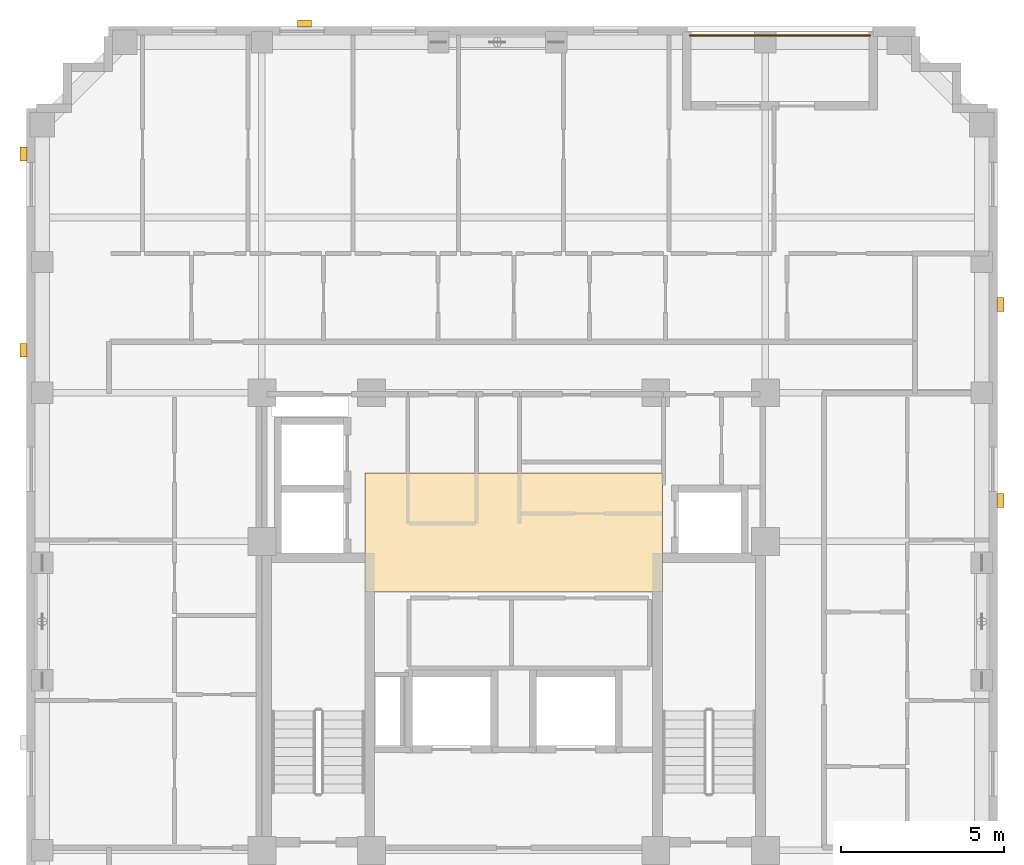
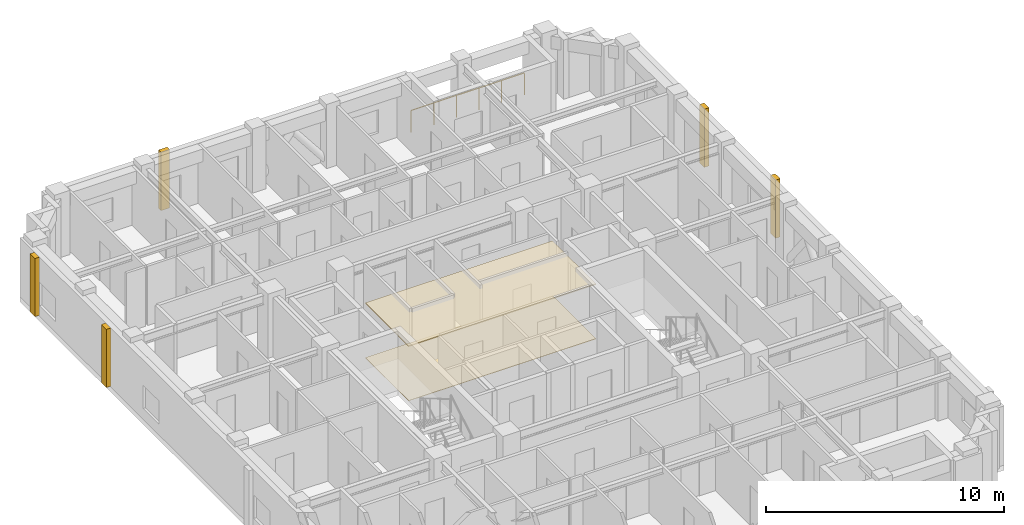
# One storey, part 11 of 11: 7 coverings, 1 railing.
"""IFC4 building model written with IfcOpenShell, lengths in metres."""

from ifc_helpers import new_model, si_unit, derived_unit, direction, frame, origin, origin_2d, place, context, subcontext, project, spatial, polyline, rectangle, circle, outline, extrude, material, layer, layer_set, type_object, element, save


model = new_model("IFC4")

# Units and contexts
model_context = context("Model", 3, precision=1e-05, world=origin(), true_north=direction((0.0, 1.0)))
body_context = subcontext(model_context, "Body", "Model", "MODEL_VIEW")
ifc_project = project(units=[si_unit("LENGTHUNIT", "METRE"), si_unit("AREAUNIT", "SQUARE_METRE"), si_unit("VOLUMEUNIT", "CUBIC_METRE"), si_unit("PLANEANGLEUNIT", "RADIAN"), si_unit("MASSUNIT", "GRAM", prefix="KILO"), derived_unit("THERMALTRANSMITTANCEUNIT", [(si_unit("MASSUNIT", "GRAM", prefix="KILO"), 1), (si_unit("TIMEUNIT", "SECOND"), -3), (si_unit("THERMODYNAMICTEMPERATUREUNIT", "KELVIN"), -1)])], contexts=[model_context])

# Site, building, storey
site_placement = place(None, origin())
site = spatial("IfcSite", under=ifc_project, at=site_placement, CompositionType="ELEMENT")
building_placement = place(site_placement, origin())
building = spatial("IfcBuilding", under=site, at=building_placement, Name="Korrvale Station Residences", CompositionType="ELEMENT")
storey_placement = place(building_placement, frame((0.0, 0.0, 194.199951171875)))
storey = spatial("IfcBuildingStorey", under=building, at=storey_placement, Name="L56", CompositionType="ELEMENT", Elevation=194.199951171875)

# Coverings
ifc_material_1 = material(Name="Perforated acoustic mineral-fibre suspended ceiling", Category="gypsum")
ifc_layer_1 = layer(ifc_material_1, 0.050048828125, Name="Perforated acoustic mineral-fibre suspended ceiling")
ifc_layer_set_1 = layer_set([ifc_layer_1], Name="Perforated acoustic mineral-fibre suspended ceiling")
covering_type_1 = type_object("IfcCoveringType", Name="COV-CLG-AC60", PredefinedType="CEILING", material=ifc_layer_set_1)
covering_1_placement = place(storey_placement, frame((0.0, 0.0, 2.7900390625)))
element("IfcCovering", 1, at=covering_1_placement, inside=storey, type_object=covering_type_1, Name="L56 Elevator Lobby Acoustic Ceiling", PredefinedType="CEILING", context=body_context, shape_type="SweptSolid", body=[
    extrude(outline(polyline([(20.949951171875, 22.89990234375), (30.050048828125, 22.89990234375), (30.050048828125, 26.550048828125), (20.949951171875, 26.550048828125), (20.949951171875, 22.89990234375)])), origin(), (0.0, 0.0, 1.0), 0.050048828125),
])
ifc_material_2 = material(Name="Polished quartz-terrazzo lobby flooring", Category="masonry")
ifc_layer_2 = layer(ifc_material_2, 0.02001953125, Name="Polished quartz-terrazzo lobby flooring")
ifc_layer_set_2 = layer_set([ifc_layer_2], Name="Polished quartz-terrazzo lobby flooring")
covering_type_2 = type_object("IfcCoveringType", Name="COV-FLR-TER20", PredefinedType="FLOORING", material=ifc_layer_set_2)
covering_2_placement = place(storey_placement, origin())
element("IfcCovering", 2, at=covering_2_placement, inside=storey, type_object=covering_type_2, Name="L56 Elevator Lobby Terrazzo Flooring", PredefinedType="FLOORING", context=body_context, shape_type="SweptSolid", body=[
    extrude(outline(polyline([(20.949951171875, 22.89990234375), (30.050048828125, 22.89990234375), (30.050048828125, 26.550048828125), (20.949951171875, 26.550048828125), (20.949951171875, 22.89990234375)])), origin(), (0.0, 0.0, 1.0), 0.02001953125),
])
ifc_material_3 = material(Name="Architectural precast concrete C45/55", Category="concrete")
ifc_layer_3 = layer(ifc_material_3, 0.219970703125, Name="Architectural precast concrete C45/55")
ifc_layer_set_3 = layer_set([ifc_layer_3], Name="Architectural precast concrete C45/55")
covering_type_3 = type_object("IfcCoveringType", Name="COV-PIER-400", PredefinedType="CLADDING", material=ifc_layer_set_3)
for number, where, z_axis, x_axis, name in (
    (3, (19.10009765625, 40.2900390625, 0.02490234375), (0.0, 0.0, 1.0), (1.0, 0.0, 0.0), "L56 Architectural Precast Facade Pier 01"),
    (4, (10.510009765625, 30.300048828125, 0.02490234375), (0.0, 0.0, 1.0), (0.0, 1.0, 0.0), "L56 Architectural Precast Facade Pier 04"),
    (5, (10.510009765625, 36.300048828125, 0.02490234375), (0.0, 0.0, 1.0), (0.0, 1.0, 0.0), "L56 Architectural Precast Facade Pier 05"),
    (6, (40.389892578125, 31.699951171875, 0.02490234375), (0.0, 0.0, 1.0), (0.0, 1.0, 0.0), "L56 Architectural Precast Facade Pier 06"),
    (7, (40.389892578125, 25.699951171875, 0.02490234375), (0.0, 0.0, 1.0), (0.0, 1.0, 0.0), "L56 Architectural Precast Facade Pier 07"),
):
    element("IfcCovering", number, at=place(storey_placement, frame(where, z_axis=z_axis, x_axis=x_axis)), inside=storey, type_object=covering_type_3, Name=name, PredefinedType="CLADDING", context=body_context, shape_type="SweptSolid", body=[
        extrude(rectangle(XDim=0.419921875, YDim=0.219970703125, at=origin_2d()), origin(), (0.0, 0.0, 1.0), 2.989990234375),
    ])

# Railing
ifc_material_4 = material(Name="Powder-coated aluminium picket loggia guard", Category="aluminium")
railing_type = type_object("IfcRailingType", Name="RLG-BAL-1150", PredefinedType="GUARDRAIL", material=ifc_material_4)
railing_placement = place(storey_placement, frame((30.89990234375, 39.929931640625, 0.0)))
element("IfcRailing", 8, at=railing_placement, inside=storey, type_object=railing_type, Name="L56 Recessed Loggia Guardrail BAL-L56-N1", PredefinedType="GUARDRAIL", context=body_context, shape_type="SweptSolid", body=[
    extrude(circle(Radius=0.02392578125, at=origin_2d()), frame((0.0, 0.0, 1.1259765625), z_axis=(1.0, 0.0, 0.0), x_axis=(0.0, 1.0, 0.0)), (0.0, 0.0, 1.0), 5.5),
    extrude(circle(Radius=0.02099609375, at=origin_2d()), origin(), (0.0, 0.0, 1.0), 1.101806640625),
    extrude(circle(Radius=0.02099609375, at=origin_2d()), frame((1.10009765625, 0.0, 0.0)), (0.0, 0.0, 1.0), 1.101806640625),
    extrude(circle(Radius=0.02099609375, at=origin_2d()), frame((2.199951171875, 0.0, 0.0)), (0.0, 0.0, 1.0), 1.101806640625),
    extrude(circle(Radius=0.02099609375, at=origin_2d()), frame((3.300048828125, 0.0, 0.0)), (0.0, 0.0, 1.0), 1.101806640625),
    extrude(circle(Radius=0.02099609375, at=origin_2d()), frame((4.39990234375, 0.0, 0.0)), (0.0, 0.0, 1.0), 1.101806640625),
    extrude(circle(Radius=0.02099609375, at=origin_2d()), frame((5.5, 0.0, 0.0)), (0.0, 0.0, 1.0), 1.101806640625),
])

save(model, "model.ifc")
